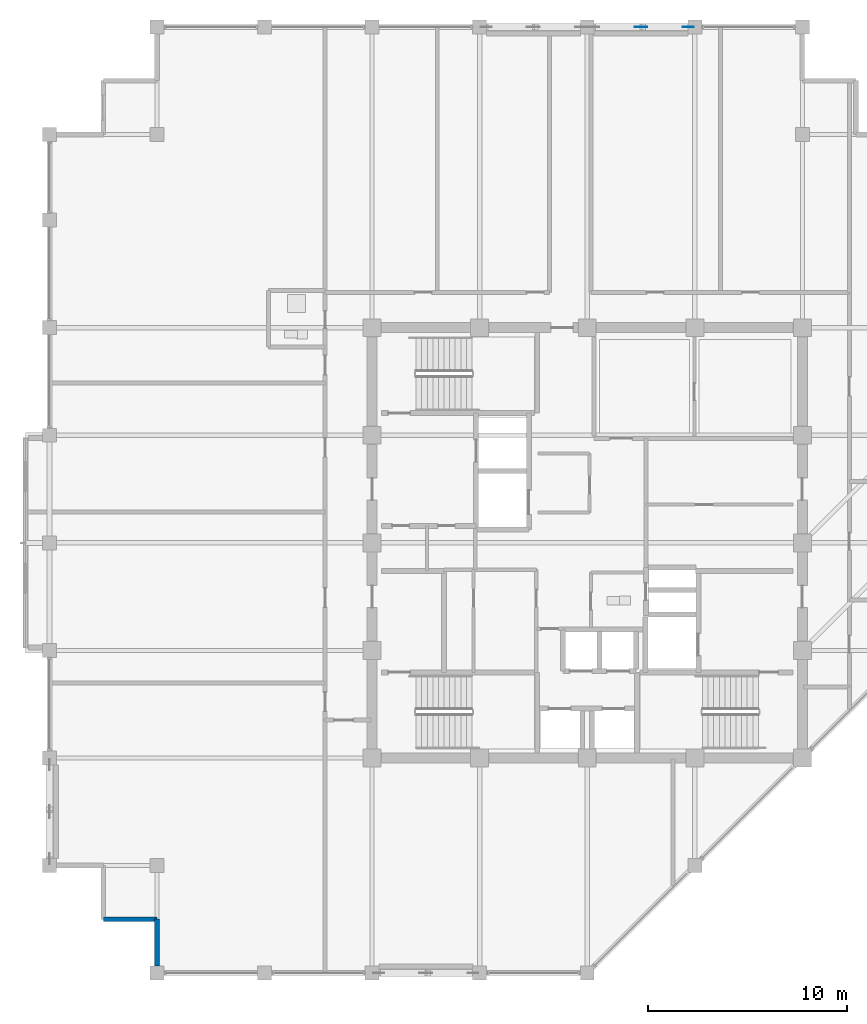
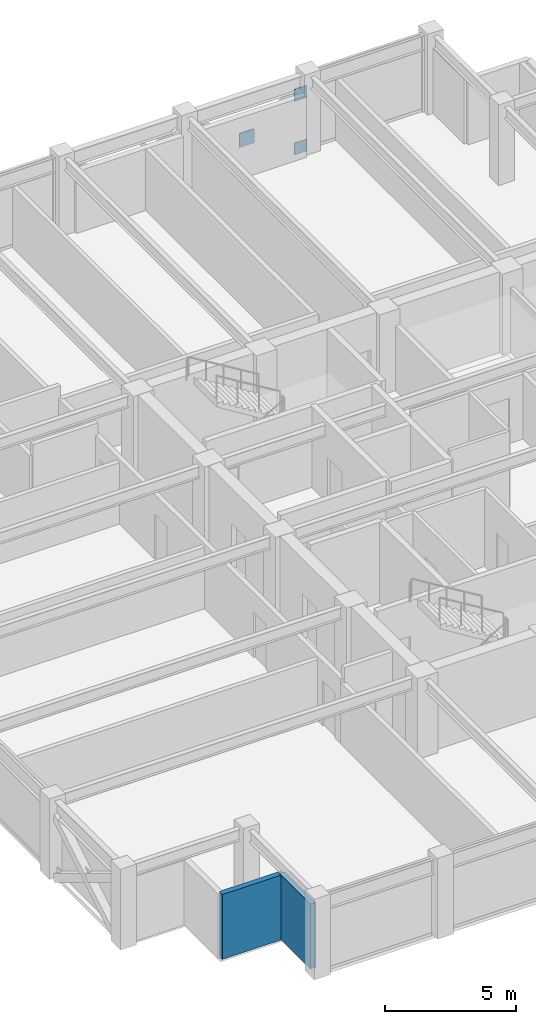
# One storey, part 23 of 30: 3 plates, 2 walls.
"""IFC4 building model written with IfcOpenShell, lengths in metres."""

import ifcopenshell
import ifcopenshell.guid

model = None  # the IFC model being written
_history = None  # IfcOwnerHistory: only IFC2X3 demands one
_inside = {}  # id of a spatial element -> (the spatial element, [elements in it])
_under = {}  # id of a project, library or spatial element -> (it, [spatial elements below it])
_declared = {}  # id of a project -> (the project, [libraries it declares])
_typed = {}  # id of a type object -> (the type object, [elements of that type])
_made_of = {}  # id of a material, layer set ... -> (it, [elements and type objects made of it])


def new_model(schema):
    """Start an empty IFC model of exactly this schema.

    Asked for "IFC4X3", IfcOpenShell would pick the latest addendum, in which some entities
    have other attributes; the version numbers below select the first issue.
    IFC2X3 requires an IfcOwnerHistory on every rooted entity: one is made here for all.
    """
    global model, _history
    if schema == "IFC4X3":
        model = ifcopenshell.file(schema_version=(4, 3, 0, 0))
    else:
        model = ifcopenshell.file(schema=schema)
    _inside.clear()
    _under.clear()
    _declared.clear()
    _typed.clear()
    _made_of.clear()
    _history = None
    if model.schema == "IFC2X3":
        org = make("IfcOrganization", Name="unknown")
        user = make(
            "IfcPersonAndOrganization",
            ThePerson=make("IfcPerson", FamilyName="unknown"),
            TheOrganization=org,
        )
        app = make(
            "IfcApplication",
            ApplicationDeveloper=org,
            Version="unknown",
            ApplicationFullName="unknown",
            ApplicationIdentifier="unknown",
        )
        _history = make(
            "IfcOwnerHistory",
            OwningUser=user,
            OwningApplication=app,
            ChangeAction="ADDED",
            CreationDate=0,
        )
    return model


def make(cls, **values):
    """One entity of the class cls with the attributes given. An attribute that is None is left unset."""
    return model.create_entity(
        cls, **{name: value for name, value in values.items() if value is not None}
    )


def rooted(cls, **values):
    """An entity with a GlobalId (a new one), such as an element, a storey or a relation."""
    return make(cls, GlobalId=ifcopenshell.guid.new(), OwnerHistory=_history, **values)


def si_unit(unit_type, name, prefix=None):
    """IfcSIUnit, for example si_unit("LENGTHUNIT", "METRE", prefix="MILLI")."""
    return make("IfcSIUnit", UnitType=unit_type, Prefix=prefix, Name=name)


def assignment(units):
    """IfcUnitAssignment: the units of a project."""
    return None if units is None else make("IfcUnitAssignment", Units=units)


def point(xyz):
    """IfcCartesianPoint."""
    return None if xyz is None else make("IfcCartesianPoint", Coordinates=xyz)


def direction(xyz):
    """IfcDirection."""
    return None if xyz is None else make("IfcDirection", DirectionRatios=xyz)


def frame(location, z_axis=None, x_axis=None):
    """IfcAxis2Placement3D, a coordinate frame: its origin and axes. An axis left out is left unset."""
    return make(
        "IfcAxis2Placement3D",
        Location=point(location),
        Axis=direction(z_axis),
        RefDirection=direction(x_axis),
    )


def frame_2d(location, x_axis=None):
    """IfcAxis2Placement2D, a coordinate frame in the plane: its origin and x axis."""
    return make(
        "IfcAxis2Placement2D", Location=point(location), RefDirection=direction(x_axis)
    )


def origin():
    """The frame at (0, 0, 0) with its axes left unset."""
    return frame((0.0, 0.0, 0.0))


def origin_2d():
    """The frame at (0, 0) in the plane with its x axis left unset."""
    return frame_2d((0.0, 0.0))


def place(relative_to, where):
    """IfcLocalPlacement: puts the frame where relative to a parent placement (None: the world)."""
    return make(
        "IfcLocalPlacement", PlacementRelTo=relative_to, RelativePlacement=where
    )


def context(
    kind, dimensions, precision=None, world=None, true_north=None, identifier=None
):
    """IfcGeometricRepresentationContext, for example the 3D "Model" context."""
    return make(
        "IfcGeometricRepresentationContext",
        ContextIdentifier=identifier,
        ContextType=kind,
        CoordinateSpaceDimension=dimensions,
        Precision=precision,
        WorldCoordinateSystem=world,
        TrueNorth=true_north,
    )


def subcontext(parent, identifier, kind, view, scale=None):
    """IfcGeometricRepresentationSubContext, for example "Body" below "Model"."""
    return make(
        "IfcGeometricRepresentationSubContext",
        ContextIdentifier=identifier,
        ContextType=kind,
        ParentContext=parent,
        TargetScale=scale,
        TargetView=view,
    )


def project(units=None, contexts=None):
    """IfcProject with its units and contexts."""
    return rooted(
        "IfcProject",
        Name="project",
        RepresentationContexts=contexts,
        UnitsInContext=assignment(units),
    )


def spatial(cls, under=None, at=None, **own):
    """A site, building, storey or space (cls), placed at a placement, below another one or the project."""
    s = rooted(cls, ObjectPlacement=at, **own)
    if under is not None:
        _under.setdefault(under.id(), (under, []))[1].append(s)
    return s


def profile(cls, at=None, kind="AREA", **sizes):
    """A parametric profile (cls). Its sizes go by their IFC names, for example OverallWidth=200.0."""
    return make(cls, ProfileType=kind, Position=at, **sizes)


def rectangle(**sizes):
    """IfcRectangleProfileDef."""
    return profile("IfcRectangleProfileDef", **sizes)


def extrude(swept, where, along, depth):
    """IfcExtrudedAreaSolid: the profile swept, set in the frame where, extruded along a direction by depth."""
    return make(
        "IfcExtrudedAreaSolid",
        SweptArea=swept,
        Position=where,
        ExtrudedDirection=direction(along),
        Depth=depth,
    )


def shape(context_of_items, identifier, shape_type, items):
    """IfcShapeRepresentation: the items that make up one representation, for example the "Body"."""
    return make(
        "IfcShapeRepresentation",
        ContextOfItems=context_of_items,
        RepresentationIdentifier=identifier,
        RepresentationType=shape_type,
        Items=items,
    )


def material(Name=None, Category=None):
    """IfcMaterial."""
    return make("IfcMaterial", Name=Name, Category=Category)


def layer(
    of_material, thickness, ventilated=None, Name=None, Category=None, Priority=None
):
    """IfcMaterialLayer: one layer of a wall or slab, of a material (None: an air gap)."""
    return make(
        "IfcMaterialLayer",
        Material=of_material,
        LayerThickness=thickness,
        IsVentilated=ventilated,
        Name=Name,
        Category=Category,
        Priority=Priority,
    )


def layer_set(layers, Name=None):
    """IfcMaterialLayerSet."""
    return make("IfcMaterialLayerSet", MaterialLayers=layers, LayerSetName=Name)


def made_of(thing, what):
    """Note that an element or type object is made of a material, layer set ...; save() writes the relation."""
    if what is not None:
        _made_of.setdefault(what.id(), (what, []))[1].append(thing)
    return thing


def type_object(cls, material=None, **own):
    """A type object (cls), such as IfcWallType, which elements share."""
    return made_of(rooted(cls, **own), material)


def element(
    cls,
    number,
    at=None,
    inside=None,
    cuts=None,
    type_object=None,
    material=None,
    context=None,
    identifier="Body",
    shape_type=None,
    held_by="IfcProductDefinitionShape",
    body=None,
    shapes=None,
    **own,
):
    """One element of the class cls, such as IfcWall. Its Tag is "e" and its number.

    at: its placement. inside: the storey or other place that contains it. cuts: it is an
    opening in that element (IfcRelVoidsElement). A single representation is given by context,
    identifier, shape_type and body (its items); several are given by shapes. held_by: the class
    of the entity that holds the representations. save() writes the other relations.
    """
    e = rooted(cls, Tag="e%d" % number, ObjectPlacement=at, **own)
    if body is not None:
        shapes = [shape(context, identifier, shape_type, body)]
    if shapes is not None:
        e.Representation = make(held_by, Representations=shapes)
    if inside is not None:
        _inside.setdefault(inside.id(), (inside, []))[1].append(e)
    if cuts is not None:
        rooted(
            "IfcRelVoidsElement", RelatingBuildingElement=cuts, RelatedOpeningElement=e
        )
    if type_object is not None:
        _typed.setdefault(type_object.id(), (type_object, []))[1].append(e)
    return made_of(e, material)


def aggregate(whole, parts):
    """IfcRelAggregates: a whole, such as a stair, and the parts it consists of."""
    return rooted("IfcRelAggregates", RelatingObject=whole, RelatedObjects=parts)


def save(model, path):
    """Write the relations noted so far, then the file.

    IfcRelAggregates (storeys below a building ...), IfcRelContainedInSpatialStructure (elements
    in a storey), IfcRelDefinesByType, IfcRelAssociatesMaterial and IfcRelDeclares: one each for
    every whole, place, type object, material and project.
    """
    for whole, parts in _under.values():
        aggregate(whole, parts)
    for where, things in _inside.values():
        rooted(
            "IfcRelContainedInSpatialStructure",
            RelatedElements=things,
            RelatingStructure=where,
        )
    for kind, things in _typed.values():
        rooted("IfcRelDefinesByType", RelatedObjects=things, RelatingType=kind)
    for what, things in _made_of.values():
        rooted("IfcRelAssociatesMaterial", RelatedObjects=things, RelatingMaterial=what)
    for by, libraries in _declared.values():
        rooted("IfcRelDeclares", RelatingContext=by, RelatedDefinitions=libraries)
    model.write(path)


model = new_model("IFC4")

# Units and contexts
model_context = context("Model", 3, precision=1e-05, world=origin(), true_north=direction((0.0, 1.0)))
body_context = subcontext(model_context, "Body", "Model", "MODEL_VIEW")
ifc_project = project(units=[si_unit("LENGTHUNIT", "METRE"), si_unit("AREAUNIT", "SQUARE_METRE"), si_unit("VOLUMEUNIT", "CUBIC_METRE"), si_unit("PLANEANGLEUNIT", "RADIAN"), si_unit("MASSUNIT", "GRAM", prefix="KILO")], contexts=[model_context])

# Site, building, storey
site_placement = place(None, origin())
site = spatial("IfcSite", under=ifc_project, at=site_placement, CompositionType="ELEMENT")
building_placement = place(site_placement, origin())
building = spatial("IfcBuilding", under=site, at=building_placement, Name="Surkhivell Harbour Commons", CompositionType="ELEMENT")
storey_placement = place(building_placement, frame((0.0, 0.0, 303.75)))
storey = spatial("IfcBuildingStorey", under=building, at=storey_placement, Name="L79", CompositionType="ELEMENT", Elevation=303.75)

# Plates
ifc_material_1 = material(Name="Steel S460", Category="steel")
ifc_layer_1 = layer(ifc_material_1, 0.035888671875)
ifc_layer_set_1 = layer_set([ifc_layer_1], Name="Steel S460")
plate_type_1 = type_object("IfcPlateType", Name="PLT-GUS-550", PredefinedType="USERDEFINED", material=ifc_layer_set_1)
for number, where, z_axis, x_axis, name in (
    (1, (5.06494140625, 25.89990234375, -0.07470703125), (0.0, 0.0, 1.0), (1.0, 0.0, 0.0), "L79 Perimeter Mega-Brace MB- Corner Gusset N2-2"),
    (2, (5.06494140625, 25.89990234375, 2.41357421875), (0.0, 0.0, 1.0), (1.0, 0.0, 0.0), "L79 Perimeter Mega-Brace MB- Corner Gusset N2-4"),
):
    element("IfcPlate", number, at=place(storey_placement, frame(where, z_axis=z_axis, x_axis=x_axis)), inside=storey, type_object=plate_type_1, Name=name, ObjectType="GUSSET_PLATE", PredefinedType="USERDEFINED", context=body_context, shape_type="SweptSolid", body=[
        extrude(rectangle(XDim=0.550048828125, YDim=0.035888671875, at=origin_2d()), origin(), (0.0, 0.0, 1.0), 0.550048828125),
    ])
ifc_layer_2 = layer(ifc_material_1, 0.044921875)
ifc_layer_set_2 = layer_set([ifc_layer_2], Name="Steel S460")
plate_type_2 = type_object("IfcPlateType", Name="PLT-GUS-650", PredefinedType="USERDEFINED", material=ifc_layer_set_2)
plate_placement = place(storey_placement, frame((2.699951171875, 25.89990234375, 1.11962890625), z_axis=(0.0, 0.0, 1.0), x_axis=(1.0, 0.0, 0.0)))
element("IfcPlate", 3, at=plate_placement, inside=storey, type_object=plate_type_2, Name="L79 Perimeter Mega-Brace MB- Central Crossing Gusset N2", ObjectType="GUSSET_PLATE", PredefinedType="USERDEFINED", context=body_context, shape_type="SweptSolid", body=[
    extrude(rectangle(XDim=0.64990234375, YDim=0.044921875, at=origin_2d()), origin(), (0.0, 0.0, 1.0), 0.64990234375),
])

# Walls
ifc_material_2 = material(Name="Bronze-ochre cassette precast concrete C45/55", Category="concrete")
ifc_layer_3 = layer(ifc_material_2, 0.239990234375)
ifc_layer_set_3 = layer_set([ifc_layer_3], Name="Bronze-ochre cassette precast concrete C45/55")
wall_type = type_object("IfcWallType", Name="WAL-EXT-OCH240", PredefinedType="STANDARD", material=ifc_layer_set_3)
wall_1_placement = place(storey_placement, frame((-24.300048828125, -18.89990234375, 0.0), z_axis=(0.0, 0.0, 1.0), x_axis=(1.0, 0.0, 0.0)))
element("IfcWall", 4, at=wall_1_placement, inside=storey, type_object=wall_type, Name="L79 Serrated Corner Facade Wall 15", PredefinedType="STANDARD", context=body_context, shape_type="SweptSolid", body=[
    extrude(rectangle(XDim=2.699951171875, YDim=0.239990234375, at=frame_2d((1.35009765625, 0.0))), origin(), (0.0, 0.0, 1.0), 3.012939453125),
])
wall_2_placement = place(storey_placement, frame((-21.60009765625, -18.89990234375, 0.0), z_axis=(0.0, 0.0, 1.0), x_axis=(0.0, -1.0, 0.0)))
element("IfcWall", 5, at=wall_2_placement, inside=storey, type_object=wall_type, Name="L79 Serrated Corner Facade Wall 16", PredefinedType="STANDARD", context=body_context, shape_type="SweptSolid", body=[
    extrude(rectangle(XDim=2.35205078125, YDim=0.239990234375, at=frame_2d((1.176025390625, 0.0))), origin(), (0.0, 0.0, 1.0), 3.012939453125),
])

save(model, "model.ifc")
